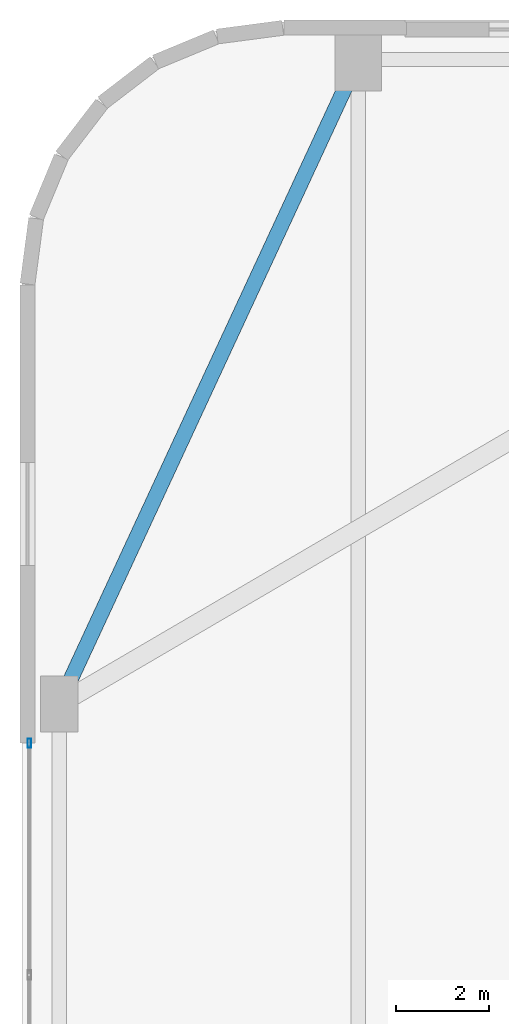
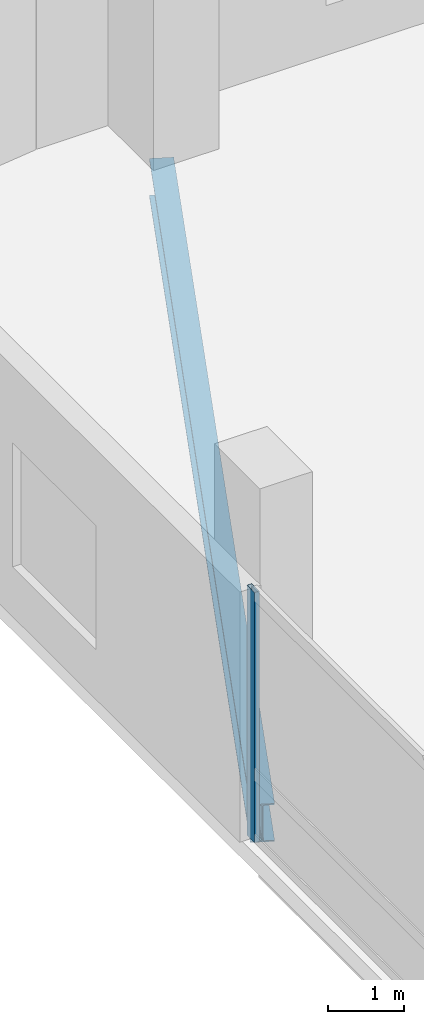
# One storey, part 14 of 31: 1 beam, 1 member, 1 element without a shape of its own.
"""IFC4 building model written with IfcOpenShell, lengths in metres."""

from ifc_helpers import new_model, si_unit, direction, frame, origin, origin_2d, place, context, subcontext, project, spatial, hollow_rectangle, i_section, extrude, material, layer, layer_set, material_profile, profile_set, type_object, element, aggregate, save


model = new_model("IFC4")

# Units and contexts
model_context = context("Model", 3, precision=1e-05, world=origin(), true_north=direction((0.0, 1.0)))
body_context = subcontext(model_context, "Body", "Model", "MODEL_VIEW")
ifc_project = project(units=[si_unit("LENGTHUNIT", "METRE"), si_unit("AREAUNIT", "SQUARE_METRE"), si_unit("VOLUMEUNIT", "CUBIC_METRE"), si_unit("PLANEANGLEUNIT", "RADIAN"), si_unit("MASSUNIT", "GRAM", prefix="KILO")], contexts=[model_context])

# Site, building, storey
site_placement = place(None, origin())
site = spatial("IfcSite", under=ifc_project, at=site_placement, CompositionType="ELEMENT")
building_placement = place(site_placement, origin())
building = spatial("IfcBuilding", under=site, at=building_placement, Name="Varnelok Gate Tower", CompositionType="ELEMENT")
storey_placement = place(building_placement, frame((0.0, 0.0, 16.199951171875)))
storey = spatial("IfcBuildingStorey", under=building, at=storey_placement, Name="L03", CompositionType="ELEMENT", Elevation=16.199951171875)

# Beam
ifc_material_1 = material(Name="Structural Steel ASTM A992 Grade 50", Category="steel")
ifc_material_profile_1 = material_profile(ifc_material_1, i_section(OverallWidth=0.323974609375, OverallDepth=0.611083984375, WebThickness=0.0126953125, FlangeThickness=0.01904296875, FilletRadius=0.01806640625, at=origin_2d()), Name="W24X104")
ifc_profile_set_1 = profile_set([ifc_material_profile_1], Name="Structural Steel ASTM A992 Grade 50")
beam_type = type_object("IfcBeamType", Name="BM-SPN-W24X104", PredefinedType="SPANDREL", material=ifc_profile_set_1)
beam_placement = place(storey_placement, frame((0.85888671875, 36.126953125, -0.58544921875), z_axis=(0.420722638096, 0.907189319709, 0.0), x_axis=(-0.907189319709, 0.420722638096, 0.0)))
element("IfcBeam", 1, at=beam_placement, inside=storey, type_object=beam_type, Name="L03 Podium Primary Girder 9", PredefinedType="SPANDREL", context=body_context, shape_type="SweptSolid", body=[
    extrude(i_section(OverallWidth=0.323974609375, OverallDepth=0.611083984375, WebThickness=0.0126953125, FlangeThickness=0.01904296875, FilletRadius=0.01806640625, at=origin_2d()), origin(), (0.0, 0.0, 1.0), 14.931884765625),
])

# Curtain wall, member
ifc_material_2 = material(Name="Anodized Aluminum Alloy 6063-T6", Category="aluminium")
ifc_layer = layer(ifc_material_2, 0.179931640625)
ifc_layer_set = layer_set([ifc_layer], Name="Anodized Aluminum Alloy 6063-T6")
curtain_wall_type = type_object("IfcCurtainWallType", Name="CW1-ARCH-PORTAL", PredefinedType="USERDEFINED", material=ifc_layer_set)
curtain_wall_placement = place(storey_placement, origin())
curtain_wall = element("IfcCurtainWall", 2, at=curtain_wall_placement, inside=storey, type_object=curtain_wall_type, Name="L03 Podium Portal Curtain Wall W", ObjectType="UNITISED CURTAIN WALL", PredefinedType="USERDEFINED")
ifc_material_profile_2 = material_profile(ifc_material_2, hollow_rectangle(XDim=0.074951171875, YDim=0.199951171875, WallThickness=0.00390625, at=origin_2d()), Name="ALU200X75X4")
ifc_profile_set_2 = profile_set([ifc_material_profile_2], Name="Anodized Aluminum Alloy 6063-T6")
member_type = type_object("IfcMemberType", Name="CW-MULL-200", PredefinedType="MULLION", material=ifc_profile_set_2)
member_placement = place(storey_placement, frame((0.159912109375, 35.16259765625, 0.0), z_axis=(0.0, 0.0, 1.0), x_axis=(-1.0, 0.0, 0.0)))
member = element("IfcMember", 3, at=member_placement, type_object=member_type, Name="CW1 mullion 5", PredefinedType="MULLION", context=body_context, shape_type="SweptSolid", body=[
    extrude(hollow_rectangle(XDim=0.074951171875, YDim=0.199951171875, WallThickness=0.00390625, at=origin_2d()), origin(), (0.0, 0.0, 1.0), 4.030029296875),
])
aggregate(curtain_wall, [member])

save(model, "model.ifc")
